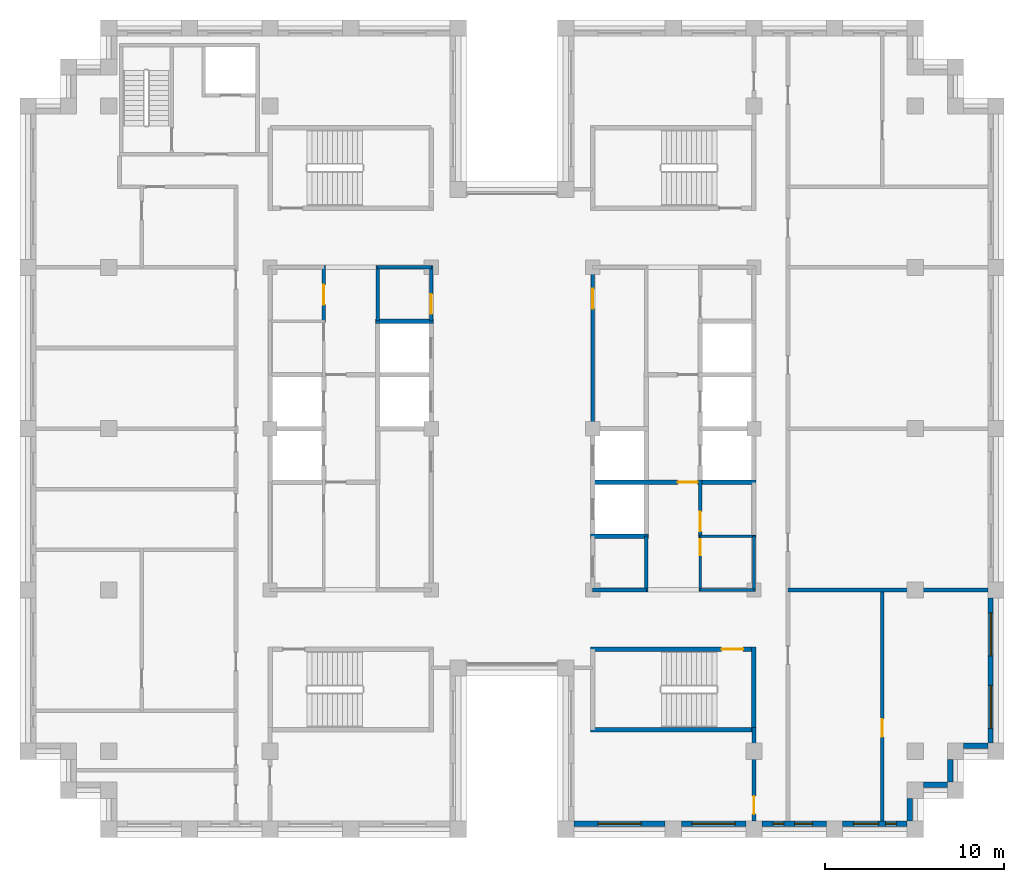
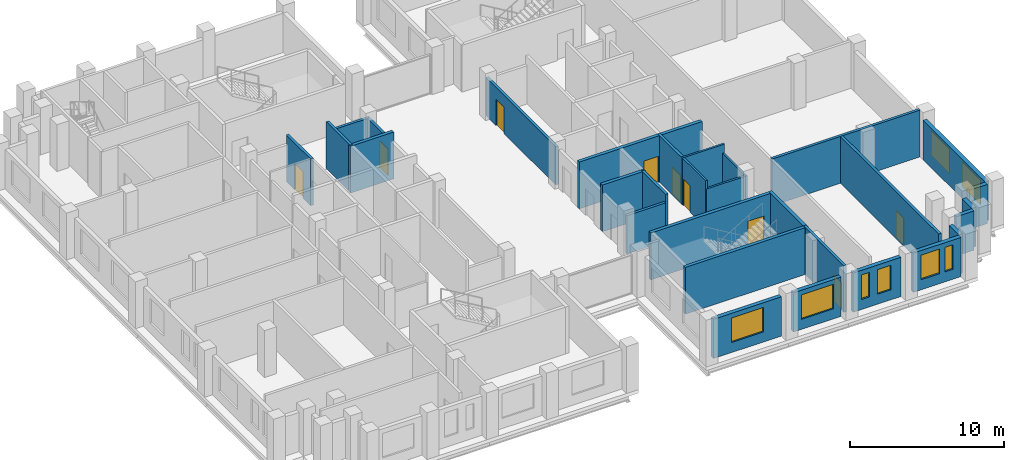
# One storey, part 8 of 13: 30 walls, 9 doors, 8 windows, 17 openings.
"""IFC4 building model written with IfcOpenShell, lengths in metres."""

from ifc_helpers import new_model, si_unit, direction, frame, frame_2d, origin, place, context, subcontext, project, spatial, rectangle, extrude, material, layer, layer_set, type_object, element, fill, save


model = new_model("IFC4")

# Units and contexts
model_context = context("Model", 3, precision=1e-05, world=origin(), true_north=direction((0.0, 1.0)))
body_context = subcontext(model_context, "Body", "Model", "MODEL_VIEW")
ifc_project = project(units=[si_unit("LENGTHUNIT", "METRE"), si_unit("AREAUNIT", "SQUARE_METRE"), si_unit("VOLUMEUNIT", "CUBIC_METRE"), si_unit("PLANEANGLEUNIT", "RADIAN"), si_unit("MASSUNIT", "GRAM", prefix="KILO")], contexts=[model_context])

# Site, building, storey
site_placement = place(None, origin())
site = spatial("IfcSite", under=ifc_project, at=site_placement, CompositionType="ELEMENT")
building_placement = place(site_placement, origin())
building = spatial("IfcBuilding", under=site, at=building_placement, Name="Corbelhall Arena Tower", CompositionType="ELEMENT")
storey_placement = place(building_placement, frame((0.0, 0.0, 278.0)))
storey = spatial("IfcBuildingStorey", under=building, at=storey_placement, Name="L60", CompositionType="ELEMENT", Elevation=278.0)

# Wall, opening, window
ifc_material_1 = material(Name="Precast concrete C40/50 with granite facing", Category="masonry")
ifc_layer_1 = layer(ifc_material_1, 0.300048828125)
ifc_layer_set_1 = layer_set([ifc_layer_1], Name="EV-IW1 Infill panel 300")
wall_type_1 = type_object("IfcWallType", Name="EV-IW1 Infill panel 300", PredefinedType="SOLIDWALL", material=ifc_layer_set_1)
wall_1_placement = place(storey_placement, frame((3.449951171875, -22.050048828125, 0.0), z_axis=(0.0, 0.0, 1.0), x_axis=(1.0, 0.0, 0.0)))
wall_1 = element("IfcWall", 1, at=wall_1_placement, inside=storey, type_object=wall_type_1, Name="Infill panel IW1", PredefinedType="SOLIDWALL", context=body_context, shape_type="SweptSolid", body=[
    extrude(rectangle(XDim=5.10009765625, YDim=0.300048828125, at=frame_2d((2.550048828125, 0.0))), origin(), (0.0, 0.0, 1.0), 3.1201171875),
])
opening_1_placement = place(wall_1_placement, frame((1.35009765625, 0.0, 0.800048828125)))
opening_1 = element("IfcOpeningElement", 2, at=opening_1_placement, cuts=wall_1, Name="Opening WN1", PredefinedType="OPENING", context=body_context, shape_type="SweptSolid", body=[
    extrude(rectangle(XDim=2.39990234375, YDim=1.949951171875, at=frame_2d((1.199951171875, 0.97509765625))), frame((0.0, 0.14990234375, 0.0), z_axis=(0.0, -1.0, 0.0), x_axis=(1.0, 0.0, 0.0)), (0.0, 0.0, 1.0), 0.300048828125),
])
ifc_material_2 = material(Name="Aluminium black anodised", Category="aluminium")
window_type_1 = type_object("IfcWindowType", Name="EV-WN1 Office window", PartitioningType="SINGLE_PANEL", PredefinedType="WINDOW", material=ifc_material_2)
window_1_placement = place(opening_1_placement, origin())
window_1 = element("IfcWindow", 3, at=window_1_placement, inside=storey, type_object=window_type_1, Name="Window WN1", OverallHeight=1.949951171875, OverallWidth=2.39990234375, PartitioningType="SINGLE_PANEL", PredefinedType="WINDOW", context=body_context, shape_type="SweptSolid", body=[
    extrude(rectangle(XDim=2.39990234375, YDim=1.949951171875, at=frame_2d((1.199951171875, 0.97509765625))), frame((0.0, 0.030029296875, 0.0), z_axis=(0.0, -1.0, 0.0), x_axis=(1.0, 0.0, 0.0)), (0.0, 0.0, 1.0), 0.06005859375),
])
fill(opening_1, window_1)

wall_2_placement = place(storey_placement, frame((9.449951171875, -22.050048828125, 0.0), z_axis=(0.0, 0.0, 1.0), x_axis=(1.0, 0.0, 0.0)))
wall_2 = element("IfcWall", 4, at=wall_2_placement, inside=storey, type_object=wall_type_1, Name="Infill panel IW1", PredefinedType="SOLIDWALL", context=body_context, shape_type="SweptSolid", body=[
    extrude(rectangle(XDim=3.60009765625, YDim=0.300048828125, at=frame_2d((1.800048828125, 0.0))), origin(), (0.0, 0.0, 1.0), 3.1201171875),
])
opening_2_placement = place(wall_2_placement, frame((0.60009765625, 0.0, 0.800048828125)))
opening_2 = element("IfcOpeningElement", 5, at=opening_2_placement, cuts=wall_2, Name="Opening WN1", PredefinedType="OPENING", context=body_context, shape_type="SweptSolid", body=[
    extrude(rectangle(XDim=2.39990234375, YDim=1.949951171875, at=frame_2d((1.199951171875, 0.97509765625))), frame((0.0, 0.14990234375, 0.0), z_axis=(0.0, -1.0, 0.0), x_axis=(1.0, 0.0, 0.0)), (0.0, 0.0, 1.0), 0.300048828125),
])
window_2_placement = place(opening_2_placement, origin())
window_2 = element("IfcWindow", 6, at=window_2_placement, inside=storey, type_object=window_type_1, Name="Window WN1", OverallHeight=1.949951171875, OverallWidth=2.39990234375, PartitioningType="SINGLE_PANEL", PredefinedType="WINDOW", context=body_context, shape_type="SweptSolid", body=[
    extrude(rectangle(XDim=2.39990234375, YDim=1.949951171875, at=frame_2d((1.199951171875, 0.97509765625))), frame((0.0, 0.030029296875, 0.0), z_axis=(0.0, -1.0, 0.0), x_axis=(1.0, 0.0, 0.0)), (0.0, 0.0, 1.0), 0.06005859375),
])
fill(opening_2, window_2)

# Wall, openings, windows
wall_3_placement = place(storey_placement, frame((13.949951171875, -22.050048828125, 0.0), z_axis=(0.0, 0.0, 1.0), x_axis=(1.0, 0.0, 0.0)))
wall_3 = element("IfcWall", 7, at=wall_3_placement, inside=storey, type_object=wall_type_1, Name="Infill panel IW1", PredefinedType="SOLIDWALL", context=body_context, shape_type="SweptSolid", body=[
    extrude(rectangle(XDim=3.60009765625, YDim=0.300048828125, at=frame_2d((1.800048828125, 0.0))), origin(), (0.0, 0.0, 1.0), 3.1201171875),
])
opening_3_placement = place(wall_3_placement, frame((0.625, 0.0, 0.800048828125)))
opening_3 = element("IfcOpeningElement", 8, at=opening_3_placement, cuts=wall_3, Name="Opening WN5", PredefinedType="OPENING", context=body_context, shape_type="SweptSolid", body=[
    extrude(rectangle(XDim=0.60009765625, YDim=1.949951171875, at=frame_2d((0.300048828125, 0.97509765625))), frame((0.0, 0.14990234375, 0.0), z_axis=(0.0, -1.0, 0.0), x_axis=(1.0, 0.0, 0.0)), (0.0, 0.0, 1.0), 0.300048828125),
])
opening_4_placement = place(wall_3_placement, frame((1.824951171875, 0.0, 0.800048828125)))
opening_4 = element("IfcOpeningElement", 9, at=opening_4_placement, cuts=wall_3, Name="Opening WN6", PredefinedType="OPENING", context=body_context, shape_type="SweptSolid", body=[
    extrude(rectangle(XDim=1.0, YDim=1.949951171875, at=frame_2d((0.5, 0.97509765625))), frame((0.0, 0.14990234375, 0.0), z_axis=(0.0, -1.0, 0.0), x_axis=(1.0, 0.0, 0.0)), (0.0, 0.0, 1.0), 0.300048828125),
])
window_type_2 = type_object("IfcWindowType", Name="EV-WN5 Office window 600", PartitioningType="SINGLE_PANEL", PredefinedType="WINDOW", material=ifc_material_2)
window_3_placement = place(opening_3_placement, origin())
window_3 = element("IfcWindow", 10, at=window_3_placement, inside=storey, type_object=window_type_2, Name="Window WN5", OverallHeight=1.949951171875, OverallWidth=0.60009765625, PartitioningType="SINGLE_PANEL", PredefinedType="WINDOW", context=body_context, shape_type="SweptSolid", body=[
    extrude(rectangle(XDim=0.60009765625, YDim=1.949951171875, at=frame_2d((0.300048828125, 0.97509765625))), frame((0.0, 0.030029296875, 0.0), z_axis=(0.0, -1.0, 0.0), x_axis=(1.0, 0.0, 0.0)), (0.0, 0.0, 1.0), 0.06005859375),
])
fill(opening_3, window_3)
window_type_3 = type_object("IfcWindowType", Name="EV-WN6 Office window 1000", PartitioningType="SINGLE_PANEL", PredefinedType="WINDOW", material=ifc_material_2)
window_4_placement = place(opening_4_placement, origin())
window_4 = element("IfcWindow", 11, at=window_4_placement, inside=storey, type_object=window_type_3, Name="Window WN6", OverallHeight=1.949951171875, OverallWidth=1.0, PartitioningType="SINGLE_PANEL", PredefinedType="WINDOW", context=body_context, shape_type="SweptSolid", body=[
    extrude(rectangle(XDim=1.0, YDim=1.949951171875, at=frame_2d((0.5, 0.97509765625))), frame((0.0, 0.030029296875, 0.0), z_axis=(0.0, -1.0, 0.0), x_axis=(1.0, 0.0, 0.0)), (0.0, 0.0, 1.0), 0.06005859375),
])
fill(opening_4, window_4)

wall_4_placement = place(storey_placement, frame((18.449951171875, -22.050048828125, 0.0), z_axis=(0.0, 0.0, 1.0), x_axis=(1.0, 0.0, 0.0)))
wall_4 = element("IfcWall", 12, at=wall_4_placement, inside=storey, type_object=wall_type_1, Name="Infill panel IW1", PredefinedType="SOLIDWALL", context=body_context, shape_type="SweptSolid", body=[
    extrude(rectangle(XDim=3.60009765625, YDim=0.300048828125, at=frame_2d((1.800048828125, 0.0))), origin(), (0.0, 0.0, 1.0), 3.1201171875),
])
opening_5_placement = place(wall_4_placement, frame((0.60009765625, 0.0, 0.800048828125)))
opening_5 = element("IfcOpeningElement", 13, at=opening_5_placement, cuts=wall_4, Name="Opening WN7", PredefinedType="OPENING", context=body_context, shape_type="SweptSolid", body=[
    extrude(rectangle(XDim=1.39990234375, YDim=1.949951171875, at=frame_2d((0.699951171875, 0.97509765625))), frame((0.0, 0.14990234375, 0.0), z_axis=(0.0, -1.0, 0.0), x_axis=(1.0, 0.0, 0.0)), (0.0, 0.0, 1.0), 0.300048828125),
])
opening_6_placement = place(wall_4_placement, frame((2.39990234375, 0.0, 0.800048828125)))
opening_6 = element("IfcOpeningElement", 14, at=opening_6_placement, cuts=wall_4, Name="Opening WN5", PredefinedType="OPENING", context=body_context, shape_type="SweptSolid", body=[
    extrude(rectangle(XDim=0.60009765625, YDim=1.949951171875, at=frame_2d((0.300048828125, 0.97509765625))), frame((0.0, 0.14990234375, 0.0), z_axis=(0.0, -1.0, 0.0), x_axis=(1.0, 0.0, 0.0)), (0.0, 0.0, 1.0), 0.300048828125),
])
window_5_placement = place(opening_6_placement, origin())
window_5 = element("IfcWindow", 15, at=window_5_placement, inside=storey, type_object=window_type_2, Name="Window WN5", OverallHeight=1.949951171875, OverallWidth=0.60009765625, PartitioningType="SINGLE_PANEL", PredefinedType="WINDOW", context=body_context, shape_type="SweptSolid", body=[
    extrude(rectangle(XDim=0.60009765625, YDim=1.949951171875, at=frame_2d((0.300048828125, 0.97509765625))), frame((0.0, 0.030029296875, 0.0), z_axis=(0.0, -1.0, 0.0), x_axis=(1.0, 0.0, 0.0)), (0.0, 0.0, 1.0), 0.06005859375),
])
fill(opening_6, window_5)
window_type_4 = type_object("IfcWindowType", Name="EV-WN7 Office window 1400", PartitioningType="SINGLE_PANEL", PredefinedType="WINDOW", material=ifc_material_2)
window_6_placement = place(opening_5_placement, origin())
window_6 = element("IfcWindow", 16, at=window_6_placement, inside=storey, type_object=window_type_4, Name="Window WN7", OverallHeight=1.949951171875, OverallWidth=1.39990234375, PartitioningType="SINGLE_PANEL", PredefinedType="WINDOW", context=body_context, shape_type="SweptSolid", body=[
    extrude(rectangle(XDim=1.39990234375, YDim=1.949951171875, at=frame_2d((0.699951171875, 0.97509765625))), frame((0.0, 0.030029296875, 0.0), z_axis=(0.0, -1.0, 0.0), x_axis=(1.0, 0.0, 0.0)), (0.0, 0.0, 1.0), 0.06005859375),
])
fill(opening_5, window_6)

# Walls
wall_5_placement = place(storey_placement, frame((22.199951171875, -21.89990234375, 0.0), z_axis=(0.0, 0.0, 1.0), x_axis=(0.0, 1.0, 0.0)))
element("IfcWall", 17, at=wall_5_placement, inside=storey, type_object=wall_type_1, Name="Infill panel IW1", PredefinedType="SOLIDWALL", context=body_context, shape_type="SweptSolid", body=[
    extrude(rectangle(XDim=1.27490234375, YDim=0.300048828125, at=frame_2d((0.637451171875, 0.0))), origin(), (0.0, 0.0, 1.0), 3.1201171875),
])
wall_6_placement = place(storey_placement, frame((22.949951171875, -19.875, 0.0), z_axis=(0.0, 0.0, 1.0), x_axis=(1.0, 0.0, 0.0)))
element("IfcWall", 18, at=wall_6_placement, inside=storey, type_object=wall_type_1, Name="Infill panel IW1", PredefinedType="SOLIDWALL", context=body_context, shape_type="SweptSolid", body=[
    extrude(rectangle(XDim=1.35009765625, YDim=0.300048828125, at=frame_2d((0.675048828125, 0.0))), origin(), (0.0, 0.0, 1.0), 3.1201171875),
])
wall_7_placement = place(storey_placement, frame((24.449951171875, -19.72509765625, 0.0), z_axis=(0.0, 0.0, 1.0), x_axis=(0.0, 1.0, 0.0)))
element("IfcWall", 19, at=wall_7_placement, inside=storey, type_object=wall_type_1, Name="Infill panel IW1", PredefinedType="SOLIDWALL", context=body_context, shape_type="SweptSolid", body=[
    extrude(rectangle(XDim=1.275146484375, YDim=0.300048828125, at=frame_2d((0.6376953125, 0.0))), origin(), (0.0, 0.0, 1.0), 3.1201171875),
])
wall_8_placement = place(storey_placement, frame((25.199951171875, -17.699951171875, 0.0), z_axis=(0.0, 0.0, 1.0), x_axis=(1.0, 0.0, 0.0)))
element("IfcWall", 20, at=wall_8_placement, inside=storey, type_object=wall_type_1, Name="Infill panel IW1", PredefinedType="SOLIDWALL", context=body_context, shape_type="SweptSolid", body=[
    extrude(rectangle(XDim=1.35009765625, YDim=0.300048828125, at=frame_2d((0.675048828125, 0.0))), origin(), (0.0, 0.0, 1.0), 3.1201171875),
])

# Wall, openings, windows
wall_9_placement = place(storey_placement, frame((26.699951171875, -17.550048828125, 0.0), z_axis=(0.0, 0.0, 1.0), x_axis=(0.0, 1.0, 0.0)))
wall_9 = element("IfcWall", 21, at=wall_9_placement, inside=storey, type_object=wall_type_1, Name="Infill panel IW1", PredefinedType="SOLIDWALL", context=body_context, shape_type="SweptSolid", body=[
    extrude(rectangle(XDim=8.10009765625, YDim=0.300048828125, at=frame_2d((4.050048828125, 0.0))), origin(), (0.0, 0.0, 1.0), 3.1201171875),
])
opening_7_placement = place(wall_9_placement, frame((0.824951171875, 0.0, 0.800048828125)))
opening_7 = element("IfcOpeningElement", 22, at=opening_7_placement, cuts=wall_9, Name="Opening WN1", PredefinedType="OPENING", context=body_context, shape_type="SweptSolid", body=[
    extrude(rectangle(XDim=2.39990234375, YDim=1.949951171875, at=frame_2d((1.199951171875, 0.97509765625))), frame((0.0, 0.14990234375, 0.0), z_axis=(0.0, -1.0, 0.0), x_axis=(1.0, 0.0, 0.0)), (0.0, 0.0, 1.0), 0.300048828125),
])
opening_8_placement = place(wall_9_placement, frame((4.875, 0.0, 0.800048828125)))
opening_8 = element("IfcOpeningElement", 23, at=opening_8_placement, cuts=wall_9, Name="Opening WN1", PredefinedType="OPENING", context=body_context, shape_type="SweptSolid", body=[
    extrude(rectangle(XDim=2.39990234375, YDim=1.949951171875, at=frame_2d((1.199951171875, 0.97509765625))), frame((0.0, 0.14990234375, 0.0), z_axis=(0.0, -1.0, 0.0), x_axis=(1.0, 0.0, 0.0)), (0.0, 0.0, 1.0), 0.300048828125),
])
window_7_placement = place(opening_7_placement, origin())
window_7 = element("IfcWindow", 24, at=window_7_placement, inside=storey, type_object=window_type_1, Name="Window WN1", OverallHeight=1.949951171875, OverallWidth=2.39990234375, PartitioningType="SINGLE_PANEL", PredefinedType="WINDOW", context=body_context, shape_type="SweptSolid", body=[
    extrude(rectangle(XDim=2.39990234375, YDim=1.949951171875, at=frame_2d((1.199951171875, 0.97509765625))), frame((0.0, 0.030029296875, 0.0), z_axis=(0.0, -1.0, 0.0), x_axis=(1.0, 0.0, 0.0)), (0.0, 0.0, 1.0), 0.06005859375),
])
fill(opening_7, window_7)
window_8_placement = place(opening_8_placement, origin())
window_8 = element("IfcWindow", 25, at=window_8_placement, inside=storey, type_object=window_type_1, Name="Window WN1", OverallHeight=1.949951171875, OverallWidth=2.39990234375, PartitioningType="SINGLE_PANEL", PredefinedType="WINDOW", context=body_context, shape_type="SweptSolid", body=[
    extrude(rectangle(XDim=2.39990234375, YDim=1.949951171875, at=frame_2d((1.199951171875, 0.97509765625))), frame((0.0, 0.030029296875, 0.0), z_axis=(0.0, -1.0, 0.0), x_axis=(1.0, 0.0, 0.0)), (0.0, 0.0, 1.0), 0.06005859375),
])
fill(opening_8, window_8)

# Wall, opening, door
ifc_material_3 = material(Name="Gypsum board on steel stud, acoustic", Category="steel")
ifc_layer_2 = layer(ifc_material_3, 0.199951171875)
ifc_layer_set_2 = layer_set([ifc_layer_2], Name="IN-W-DM200")
wall_type_2 = type_object("IfcWallType", Name="IN-W-DM200", PredefinedType="PARTITIONING", material=ifc_layer_set_2)
wall_10_placement = place(storey_placement, frame((13.5, -21.89990234375, 0.0), z_axis=(0.0, 0.0, 1.0), x_axis=(0.0, 1.0, 0.0)))
wall_10 = element("IfcWall", 26, at=wall_10_placement, inside=storey, type_object=wall_type_2, Name="Partition 017", PredefinedType="PARTITIONING", context=body_context, shape_type="SweptSolid", body=[
    extrude(rectangle(XDim=5.224853515625, YDim=0.199951171875, at=frame_2d((2.6123046875, 0.0))), origin(), (0.0, 0.0, 1.0), 3.719970703125),
])
opening_9_placement = place(wall_10_placement, frame((0.39990234375, 0.0, 0.0)))
opening_9 = element("IfcOpeningElement", 27, at=opening_9_placement, cuts=wall_10, Name="Opening 19021", PredefinedType="OPENING", context=body_context, shape_type="SweptSolid", body=[
    extrude(rectangle(XDim=1.0, YDim=2.10009765625, at=frame_2d((0.5, 1.050048828125))), frame((0.0, 0.10009765625, 0.0), z_axis=(0.0, -1.0, 0.0), x_axis=(1.0, 0.0, 0.0)), (0.0, 0.0, 1.0), 0.199951171875),
])
ifc_material_4 = material(Name="Steel door set", Category="steel")
door_type_1 = type_object("IfcDoorType", Name="IN-D-SW100", OperationType="NOTDEFINED", PredefinedType="DOOR", material=ifc_material_4)
door_1_placement = place(opening_9_placement, origin())
door_1 = element("IfcDoor", 28, at=door_1_placement, inside=storey, type_object=door_type_1, Name="Door 021", OperationType="SINGLE_SWING_RIGHT", OverallHeight=2.10009765625, OverallWidth=1.0, PredefinedType="DOOR", context=body_context, shape_type="SweptSolid", body=[
    extrude(rectangle(XDim=1.0, YDim=2.10009765625, at=frame_2d((0.5, 1.050048828125))), frame((0.0, 0.02490234375, 0.0), z_axis=(0.0, -1.0, 0.0), x_axis=(1.0, 0.0, 0.0)), (0.0, 0.0, 1.0), 0.050048828125),
])
fill(opening_9, door_1)

# Wall
wall_11_placement = place(storey_placement, frame((15.39990234375, -9.0, 0.0), z_axis=(0.0, 0.0, 1.0), x_axis=(1.0, 0.0, 0.0)))
element("IfcWall", 29, at=wall_11_placement, inside=storey, type_object=wall_type_2, Name="Partition 019", PredefinedType="PARTITIONING", context=body_context, shape_type="SweptSolid", body=[
    extrude(rectangle(XDim=11.150146484375, YDim=0.199951171875, at=frame_2d((5.5751953125, 0.0))), origin(), (0.0, 0.0, 1.0), 3.719970703125),
])

# Wall, opening, door
wall_12_placement = place(storey_placement, frame((20.64990234375, -8.89990234375, 0.0), z_axis=(0.0, 0.0, 1.0), x_axis=(0.0, -1.0, 0.0)))
wall_12 = element("IfcWall", 30, at=wall_12_placement, inside=storey, type_object=wall_type_2, Name="Partition 023", PredefinedType="PARTITIONING", context=body_context, shape_type="SweptSolid", body=[
    extrude(rectangle(XDim=13.0, YDim=0.199951171875, at=frame_2d((6.5, 0.0))), origin(), (0.0, 0.0, 1.0), 3.719970703125),
])
opening_10_placement = place(wall_12_placement, frame((7.300048828125, 0.0, 0.0)))
opening_10 = element("IfcOpeningElement", 31, at=opening_10_placement, cuts=wall_12, Name="Opening 19037", PredefinedType="OPENING", context=body_context, shape_type="SweptSolid", body=[
    extrude(rectangle(XDim=1.0, YDim=2.10009765625, at=frame_2d((0.5, 1.050048828125))), frame((0.0, 0.10009765625, 0.0), z_axis=(0.0, -1.0, 0.0), x_axis=(1.0, 0.0, 0.0)), (0.0, 0.0, 1.0), 0.199951171875),
])
door_2_placement = place(opening_10_placement, origin())
door_2 = element("IfcDoor", 32, at=door_2_placement, inside=storey, type_object=door_type_1, Name="Door 037", OperationType="SINGLE_SWING_RIGHT", OverallHeight=2.10009765625, OverallWidth=1.0, PredefinedType="DOOR", context=body_context, shape_type="SweptSolid", body=[
    extrude(rectangle(XDim=1.0, YDim=2.10009765625, at=frame_2d((0.5, 1.050048828125))), frame((0.0, 0.02490234375, 0.0), z_axis=(0.0, -1.0, 0.0), x_axis=(1.0, 0.0, 0.0)), (0.0, 0.0, 1.0), 0.050048828125),
])
fill(opening_10, door_2)

ifc_material_5 = material(Name="Concrete block wall", Category="concrete")
ifc_layer_3 = layer(ifc_material_5, 0.199951171875)
ifc_layer_set_3 = layer_set([ifc_layer_3], Name="IN-W-RS200")
wall_type_3 = type_object("IfcWallType", Name="IN-W-RS200", PredefinedType="SOLIDWALL", material=ifc_layer_set_3)
wall_13_placement = place(storey_placement, frame((-10.5, 5.925048828125, 0.0), z_axis=(0.0, 0.0, 1.0), x_axis=(0.0, 1.0, 0.0)))
wall_13 = element("IfcWall", 33, at=wall_13_placement, inside=storey, type_object=wall_type_3, Name="Partition 028", PredefinedType="SOLIDWALL", context=body_context, shape_type="SweptSolid", body=[
    extrude(rectangle(XDim=3.175048828125, YDim=0.199951171875, at=frame_2d((1.58740234375, 0.0))), origin(), (0.0, 0.0, 1.0), 3.719970703125),
])
opening_11_placement = place(wall_13_placement, frame((1.0, 0.0, 0.0)))
opening_11 = element("IfcOpeningElement", 34, at=opening_11_placement, cuts=wall_13, Name="Opening 19007", PredefinedType="OPENING", context=body_context, shape_type="SweptSolid", body=[
    extrude(rectangle(XDim=1.10009765625, YDim=2.10009765625, at=frame_2d((0.550048828125, 1.050048828125))), frame((0.0, 0.10009765625, 0.0), z_axis=(0.0, -1.0, 0.0), x_axis=(1.0, 0.0, 0.0)), (0.0, 0.0, 1.0), 0.199951171875),
])
door_type_2 = type_object("IfcDoorType", Name="IN-D-FD110", OperationType="NOTDEFINED", PredefinedType="DOOR", material=ifc_material_4)
door_3_placement = place(opening_11_placement, origin())
door_3 = element("IfcDoor", 35, at=door_3_placement, inside=storey, type_object=door_type_2, Name="Door 007", OperationType="SINGLE_SWING_RIGHT", OverallHeight=2.10009765625, OverallWidth=1.10009765625, PredefinedType="DOOR", context=body_context, shape_type="SweptSolid", body=[
    extrude(rectangle(XDim=1.10009765625, YDim=2.10009765625, at=frame_2d((0.550048828125, 1.050048828125))), frame((0.0, 0.02490234375, 0.0), z_axis=(0.0, -1.0, 0.0), x_axis=(1.0, 0.0, 0.0)), (0.0, 0.0, 1.0), 0.050048828125),
])
fill(opening_11, door_3)

# Walls
for number, where, z_axis, x_axis, name in (
    (36, (-7.5, 6.0, 0.0), (0.0, 0.0, 1.0), (0.0, 1.0, 0.0), "Partition 030"),
    (37, (7.5, -6.0, 0.0), (0.0, 0.0, 1.0), (0.0, -1.0, 0.0), "Partition 039"),
):
    element("IfcWall", number, at=place(storey_placement, frame(where, z_axis=z_axis, x_axis=x_axis)), inside=storey, type_object=wall_type_3, Name=name, PredefinedType="SOLIDWALL", context=body_context, shape_type="SweptSolid", body=[
        extrude(rectangle(XDim=3.10009765625, YDim=0.199951171875, at=frame_2d((1.550048828125, 0.0))), origin(), (0.0, 0.0, 1.0), 3.719970703125),
    ])

# Wall, opening, door
wall_14_placement = place(storey_placement, frame((10.5, -2.875, 0.0), z_axis=(0.0, 0.0, 1.0), x_axis=(0.0, -1.0, 0.0)))
wall_14 = element("IfcWall", 38, at=wall_14_placement, inside=storey, type_object=wall_type_3, Name="Partition 041", PredefinedType="SOLIDWALL", context=body_context, shape_type="SweptSolid", body=[
    extrude(rectangle(XDim=3.199951171875, YDim=0.199951171875, at=frame_2d((1.60009765625, 0.0))), origin(), (0.0, 0.0, 1.0), 3.719970703125),
])
opening_12_placement = place(wall_14_placement, frame((1.75, 0.0, 0.0)))
opening_12 = element("IfcOpeningElement", 39, at=opening_12_placement, cuts=wall_14, Name="Opening 19013", PredefinedType="OPENING", context=body_context, shape_type="SweptSolid", body=[
    extrude(rectangle(XDim=1.10009765625, YDim=2.10009765625, at=frame_2d((0.550048828125, 1.050048828125))), frame((0.0, 0.10009765625, 0.0), z_axis=(0.0, -1.0, 0.0), x_axis=(1.0, 0.0, 0.0)), (0.0, 0.0, 1.0), 0.199951171875),
])
door_4_placement = place(opening_12_placement, origin())
door_4 = element("IfcDoor", 40, at=door_4_placement, inside=storey, type_object=door_type_2, Name="Door 013", OperationType="SINGLE_SWING_RIGHT", OverallHeight=2.10009765625, OverallWidth=1.10009765625, PredefinedType="DOOR", context=body_context, shape_type="SweptSolid", body=[
    extrude(rectangle(XDim=1.10009765625, YDim=2.10009765625, at=frame_2d((0.550048828125, 1.050048828125))), frame((0.0, 0.02490234375, 0.0), z_axis=(0.0, -1.0, 0.0), x_axis=(1.0, 0.0, 0.0)), (0.0, 0.0, 1.0), 0.050048828125),
])
fill(opening_12, door_4)

# Wall
ifc_layer_4 = layer(ifc_material_5, 0.199951171875)
ifc_layer_set_4 = layer_set([ifc_layer_4], Name="IN-W-RS200 under beam 678 mm")
wall_type_4 = type_object("IfcWallType", Name="IN-W-RS200 under beam 678 mm", PredefinedType="SOLIDWALL", material=ifc_layer_set_4)
wall_15_placement = place(storey_placement, frame((-7.5, 9.0, 0.0), z_axis=(0.0, 0.0, 1.0), x_axis=(1.0, 0.0, 0.0)))
element("IfcWall", 41, at=wall_15_placement, inside=storey, type_object=wall_type_4, Name="Partition 031", PredefinedType="SOLIDWALL", context=body_context, shape_type="SweptSolid", body=[
    extrude(rectangle(XDim=3.0, YDim=0.199951171875, at=frame_2d((1.5, 0.0))), origin(), (0.0, 0.0, 1.0), 3.041748046875),
])

# Wall, opening, door
wall_16_placement = place(storey_placement, frame((-4.5, 9.10009765625, 0.0), z_axis=(0.0, 0.0, 1.0), x_axis=(0.0, -1.0, 0.0)))
wall_16 = element("IfcWall", 42, at=wall_16_placement, inside=storey, type_object=wall_type_4, Name="Partition 034", PredefinedType="SOLIDWALL", context=body_context, shape_type="SweptSolid", body=[
    extrude(rectangle(XDim=3.10009765625, YDim=0.199951171875, at=frame_2d((1.550048828125, 0.0))), origin(), (0.0, 0.0, 1.0), 3.041748046875),
])
opening_13_placement = place(wall_16_placement, frame((1.60009765625, 0.0, 0.0)))
opening_13 = element("IfcOpeningElement", 43, at=opening_13_placement, cuts=wall_16, Name="Opening 19002", PredefinedType="OPENING", context=body_context, shape_type="SweptSolid", body=[
    extrude(rectangle(XDim=1.10009765625, YDim=2.10009765625, at=frame_2d((0.550048828125, 1.050048828125))), frame((0.0, 0.10009765625, 0.0), z_axis=(0.0, -1.0, 0.0), x_axis=(1.0, 0.0, 0.0)), (0.0, 0.0, 1.0), 0.199951171875),
])
door_5_placement = place(opening_13_placement, origin())
door_5 = element("IfcDoor", 44, at=door_5_placement, inside=storey, type_object=door_type_2, Name="Door 002", OperationType="SINGLE_SWING_LEFT", OverallHeight=2.10009765625, OverallWidth=1.10009765625, PredefinedType="DOOR", context=body_context, shape_type="SweptSolid", body=[
    extrude(rectangle(XDim=1.10009765625, YDim=2.10009765625, at=frame_2d((0.550048828125, 1.050048828125))), frame((0.0, 0.02490234375, 0.0), z_axis=(0.0, -1.0, 0.0), x_axis=(1.0, 0.0, 0.0)), (0.0, 0.0, 1.0), 0.050048828125),
])
fill(opening_13, door_5)

wall_17_placement = place(storey_placement, frame((4.5, 0.0, 0.0), z_axis=(0.0, 0.0, 1.0), x_axis=(0.0, 1.0, 0.0)))
wall_17 = element("IfcWall", 45, at=wall_17_placement, inside=storey, type_object=wall_type_4, Name="Partition 036", PredefinedType="SOLIDWALL", context=body_context, shape_type="SweptSolid", body=[
    extrude(rectangle(XDim=9.10009765625, YDim=0.199951171875, at=frame_2d((4.550048828125, 0.0))), origin(), (0.0, 0.0, 1.0), 3.041748046875),
])
opening_14_placement = place(wall_17_placement, frame((6.699951171875, 0.0, 0.0)))
opening_14 = element("IfcOpeningElement", 46, at=opening_14_placement, cuts=wall_17, Name="Opening 19009", PredefinedType="OPENING", context=body_context, shape_type="SweptSolid", body=[
    extrude(rectangle(XDim=1.10009765625, YDim=2.10009765625, at=frame_2d((0.550048828125, 1.050048828125))), frame((0.0, 0.10009765625, 0.0), z_axis=(0.0, -1.0, 0.0), x_axis=(1.0, 0.0, 0.0)), (0.0, 0.0, 1.0), 0.199951171875),
])
door_6_placement = place(opening_14_placement, origin())
door_6 = element("IfcDoor", 47, at=door_6_placement, inside=storey, type_object=door_type_2, Name="Door 009", OperationType="SINGLE_SWING_RIGHT", OverallHeight=2.10009765625, OverallWidth=1.10009765625, PredefinedType="DOOR", context=body_context, shape_type="SweptSolid", body=[
    extrude(rectangle(XDim=1.10009765625, YDim=2.10009765625, at=frame_2d((0.550048828125, 1.050048828125))), frame((0.0, 0.02490234375, 0.0), z_axis=(0.0, -1.0, 0.0), x_axis=(1.0, 0.0, 0.0)), (0.0, 0.0, 1.0), 0.050048828125),
])
fill(opening_14, door_6)

# Walls
wall_18_placement = place(storey_placement, frame((7.5, -9.0, 0.0), z_axis=(0.0, 0.0, 1.0), x_axis=(-1.0, 0.0, 0.0)))
element("IfcWall", 48, at=wall_18_placement, inside=storey, type_object=wall_type_4, Name="Partition 038", PredefinedType="SOLIDWALL", context=body_context, shape_type="SweptSolid", body=[
    extrude(rectangle(XDim=3.0, YDim=0.199951171875, at=frame_2d((1.5, 0.0))), origin(), (0.0, 0.0, 1.0), 3.041748046875),
])
ifc_material_6 = material(Name="Concrete C40/50", Category="concrete")
ifc_layer_5 = layer(ifc_material_6, 0.25)
ifc_layer_set_5 = layer_set([ifc_layer_5], Name="IN-W-SH250")
wall_type_5 = type_object("IfcWallType", Name="IN-W-SH250", PredefinedType="SOLIDWALL", material=ifc_layer_set_5)
for number, where, z_axis, x_axis, name in (
    (49, (-7.625, 6.0, 0.0), (0.0, 0.0, 1.0), (1.0, 0.0, 0.0), "Shaft wall 052"),
    (50, (4.375, -6.0, 0.0), (0.0, 0.0, 1.0), (1.0, 0.0, 0.0), "Shaft wall 055"),
):
    element("IfcWall", number, at=place(storey_placement, frame(where, z_axis=z_axis, x_axis=x_axis)), inside=storey, type_object=wall_type_5, Name=name, PredefinedType="SOLIDWALL", context=body_context, shape_type="SweptSolid", body=[
        extrude(rectangle(XDim=3.25, YDim=0.25, at=frame_2d((1.625, 0.0))), origin(), (0.0, 0.0, 1.0), 3.719970703125),
    ])

# Wall, opening, door
wall_19_placement = place(storey_placement, frame((4.375, -3.0, 0.0), z_axis=(0.0, 0.0, 1.0), x_axis=(1.0, 0.0, 0.0)))
wall_19 = element("IfcWall", 51, at=wall_19_placement, inside=storey, type_object=wall_type_5, Name="Shaft wall 056", PredefinedType="SOLIDWALL", context=body_context, shape_type="SweptSolid", body=[
    extrude(rectangle(XDim=9.25, YDim=0.25, at=frame_2d((4.625, 0.0))), origin(), (0.0, 0.0, 1.0), 3.719970703125),
])
opening_15_placement = place(wall_19_placement, frame((4.875, 0.0, 0.0)))
opening_15 = element("IfcOpeningElement", 52, at=opening_15_placement, cuts=wall_19, Name="Opening 19010", PredefinedType="OPENING", context=body_context, shape_type="SweptSolid", body=[
    extrude(rectangle(XDim=1.10009765625, YDim=2.10009765625, at=frame_2d((0.550048828125, 1.050048828125))), frame((0.0, 0.125, 0.0), z_axis=(0.0, -1.0, 0.0), x_axis=(1.0, 0.0, 0.0)), (0.0, 0.0, 1.0), 0.25),
])
door_7_placement = place(opening_15_placement, origin())
door_7 = element("IfcDoor", 53, at=door_7_placement, inside=storey, type_object=door_type_2, Name="Door 010", OperationType="SINGLE_SWING_LEFT", OverallHeight=2.10009765625, OverallWidth=1.10009765625, PredefinedType="DOOR", context=body_context, shape_type="SweptSolid", body=[
    extrude(rectangle(XDim=1.10009765625, YDim=2.10009765625, at=frame_2d((0.550048828125, 1.050048828125))), frame((0.0, 0.02490234375, 0.0), z_axis=(0.0, -1.0, 0.0), x_axis=(1.0, 0.0, 0.0)), (0.0, 0.0, 1.0), 0.050048828125),
])
fill(opening_15, door_7)

# Walls
ifc_layer_6 = layer(ifc_material_6, 0.25)
ifc_layer_set_6 = layer_set([ifc_layer_6], Name="IN-W-ST250")
wall_type_6 = type_object("IfcWallType", Name="IN-W-ST250", PredefinedType="SOLIDWALL", material=ifc_layer_set_6)
wall_20_placement = place(storey_placement, frame((13.5, -16.925048828125, 0.0), z_axis=(0.0, 0.0, 1.0), x_axis=(0.0, 1.0, 0.0)))
element("IfcWall", 54, at=wall_20_placement, inside=storey, type_object=wall_type_6, Name="Shaft wall 078", PredefinedType="SOLIDWALL", context=body_context, shape_type="SweptSolid", body=[
    extrude(rectangle(XDim=4.75, YDim=0.25, at=frame_2d((2.375, 0.0))), origin(), (0.0, 0.0, 1.0), 3.719970703125),
])
wall_21_placement = place(storey_placement, frame((13.5, -16.800048828125, 0.0), z_axis=(0.0, 0.0, 1.0), x_axis=(-1.0, 0.0, 0.0)))
element("IfcWall", 55, at=wall_21_placement, inside=storey, type_object=wall_type_6, Name="Shaft wall 079", PredefinedType="SOLIDWALL", context=body_context, shape_type="SweptSolid", body=[
    extrude(rectangle(XDim=9.125, YDim=0.25, at=frame_2d((4.5625, 0.0))), origin(), (0.0, 0.0, 1.0), 3.719970703125),
])

# Wall, opening, door
wall_22_placement = place(storey_placement, frame((13.5, -12.300048828125, 0.0), z_axis=(0.0, 0.0, 1.0), x_axis=(-1.0, 0.0, 0.0)))
wall_22 = element("IfcWall", 56, at=wall_22_placement, inside=storey, type_object=wall_type_6, Name="Shaft wall 080", PredefinedType="SOLIDWALL", context=body_context, shape_type="SweptSolid", body=[
    extrude(rectangle(XDim=9.125, YDim=0.25, at=frame_2d((4.5625, 0.0))), origin(), (0.0, 0.0, 1.0), 3.719970703125),
])
opening_16_placement = place(wall_22_placement, frame((0.60009765625, 0.0, 0.0)))
opening_16 = element("IfcOpeningElement", 57, at=opening_16_placement, cuts=wall_22, Name="Opening 19018", PredefinedType="OPENING", context=body_context, shape_type="SweptSolid", body=[
    extrude(rectangle(XDim=1.199951171875, YDim=2.10009765625, at=frame_2d((0.60009765625, 1.050048828125))), frame((0.0, 0.125, 0.0), z_axis=(0.0, -1.0, 0.0), x_axis=(1.0, 0.0, 0.0)), (0.0, 0.0, 1.0), 0.25),
])
door_type_3 = type_object("IfcDoorType", Name="IN-D-ST120", OperationType="NOTDEFINED", PredefinedType="DOOR", material=ifc_material_4)
door_8_placement = place(opening_16_placement, origin())
door_8 = element("IfcDoor", 58, at=door_8_placement, inside=storey, type_object=door_type_3, Name="Door 018", OperationType="SINGLE_SWING_LEFT", OverallHeight=2.10009765625, OverallWidth=1.199951171875, PredefinedType="DOOR", context=body_context, shape_type="SweptSolid", body=[
    extrude(rectangle(XDim=1.199951171875, YDim=2.10009765625, at=frame_2d((0.60009765625, 1.050048828125))), frame((0.0, 0.02490234375, 0.0), z_axis=(0.0, -1.0, 0.0), x_axis=(1.0, 0.0, 0.0)), (0.0, 0.0, 1.0), 0.050048828125),
])
fill(opening_16, door_8)

# Wall
ifc_material_7 = material(Name="Gypsum board on steel stud, moisture resistant", Category="steel")
ifc_layer_7 = layer(ifc_material_7, 0.14990234375)
ifc_layer_set_7 = layer_set([ifc_layer_7], Name="IN-W-WC150")
wall_type_7 = type_object("IfcWallType", Name="IN-W-WC150", PredefinedType="PARTITIONING", material=ifc_layer_set_7)
wall_23_placement = place(storey_placement, frame((10.5, -6.0, 0.0), z_axis=(0.0, 0.0, 1.0), x_axis=(1.0, 0.0, 0.0)))
element("IfcWall", 59, at=wall_23_placement, inside=storey, type_object=wall_type_7, Name="Partition 088", PredefinedType="PARTITIONING", context=body_context, shape_type="SweptSolid", body=[
    extrude(rectangle(XDim=3.10009765625, YDim=0.14990234375, at=frame_2d((1.550048828125, 0.0))), origin(), (0.0, 0.0, 1.0), 3.719970703125),
])

# Wall, opening, door
wall_24_placement = place(storey_placement, frame((10.5, -5.925048828125, 0.0), z_axis=(0.0, 0.0, 1.0), x_axis=(0.0, -1.0, 0.0)))
wall_24 = element("IfcWall", 60, at=wall_24_placement, inside=storey, type_object=wall_type_7, Name="Partition 089", PredefinedType="PARTITIONING", context=body_context, shape_type="SweptSolid", body=[
    extrude(rectangle(XDim=3.14990234375, YDim=0.14990234375, at=frame_2d((1.574951171875, 0.0))), origin(), (0.0, 0.0, 1.0), 3.719970703125),
])
opening_17_placement = place(wall_24_placement, frame((0.25, 0.0, 0.0)))
opening_17 = element("IfcOpeningElement", 61, at=opening_17_placement, cuts=wall_24, Name="Opening 19012", PredefinedType="OPENING", context=body_context, shape_type="SweptSolid", body=[
    extrude(rectangle(XDim=0.89990234375, YDim=2.10009765625, at=frame_2d((0.449951171875, 1.050048828125))), frame((0.0, 0.074951171875, 0.0), z_axis=(0.0, -1.0, 0.0), x_axis=(1.0, 0.0, 0.0)), (0.0, 0.0, 1.0), 0.14990234375),
])
ifc_material_8 = material(Name="Timber door set", Category="wood")
door_type_4 = type_object("IfcDoorType", Name="IN-D-SW90", OperationType="NOTDEFINED", PredefinedType="DOOR", material=ifc_material_8)
door_9_placement = place(opening_17_placement, origin())
door_9 = element("IfcDoor", 62, at=door_9_placement, inside=storey, type_object=door_type_4, Name="Door 012", OperationType="SINGLE_SWING_LEFT", OverallHeight=2.10009765625, OverallWidth=0.89990234375, PredefinedType="DOOR", context=body_context, shape_type="SweptSolid", body=[
    extrude(rectangle(XDim=0.89990234375, YDim=2.10009765625, at=frame_2d((0.449951171875, 1.050048828125))), frame((0.0, 0.02490234375, 0.0), z_axis=(0.0, -1.0, 0.0), x_axis=(1.0, 0.0, 0.0)), (0.0, 0.0, 1.0), 0.050048828125),
])
fill(opening_17, door_9)

# Walls
ifc_layer_8 = layer(ifc_material_7, 0.14990234375)
ifc_layer_set_8 = layer_set([ifc_layer_8], Name="IN-W-WC150 under beam 678 mm")
wall_type_8 = type_object("IfcWallType", Name="IN-W-WC150 under beam 678 mm", PredefinedType="PARTITIONING", material=ifc_layer_set_8)
wall_25_placement = place(storey_placement, frame((13.5, -9.0, 0.0), z_axis=(0.0, 0.0, 1.0), x_axis=(-1.0, 0.0, 0.0)))
element("IfcWall", 63, at=wall_25_placement, inside=storey, type_object=wall_type_8, Name="Partition 090", PredefinedType="PARTITIONING", context=body_context, shape_type="SweptSolid", body=[
    extrude(rectangle(XDim=3.0, YDim=0.14990234375, at=frame_2d((1.5, 0.0))), origin(), (0.0, 0.0, 1.0), 3.041748046875),
])
wall_26_placement = place(storey_placement, frame((13.5, -6.0, 0.0), z_axis=(0.0, 0.0, 1.0), x_axis=(0.0, -1.0, 0.0)))
element("IfcWall", 64, at=wall_26_placement, inside=storey, type_object=wall_type_8, Name="Partition 091", PredefinedType="PARTITIONING", context=body_context, shape_type="SweptSolid", body=[
    extrude(rectangle(XDim=3.074951171875, YDim=0.14990234375, at=frame_2d((1.53759765625, 0.0))), origin(), (0.0, 0.0, 1.0), 3.041748046875),
])

save(model, "model.ifc")
